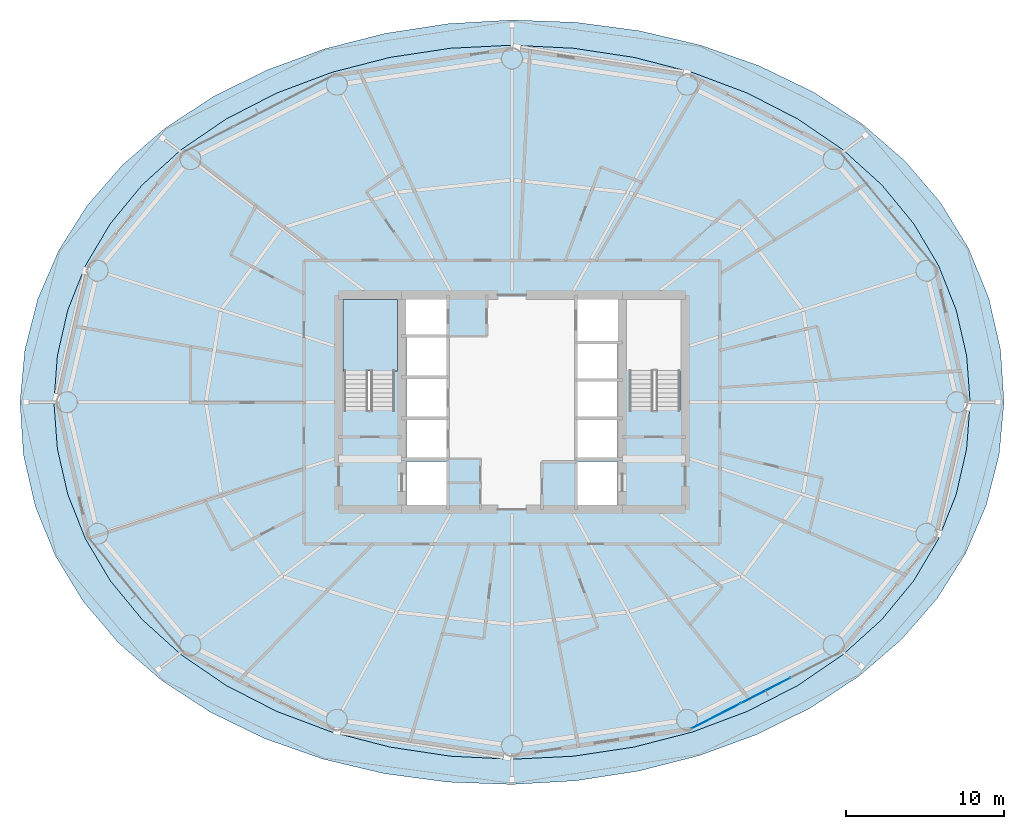
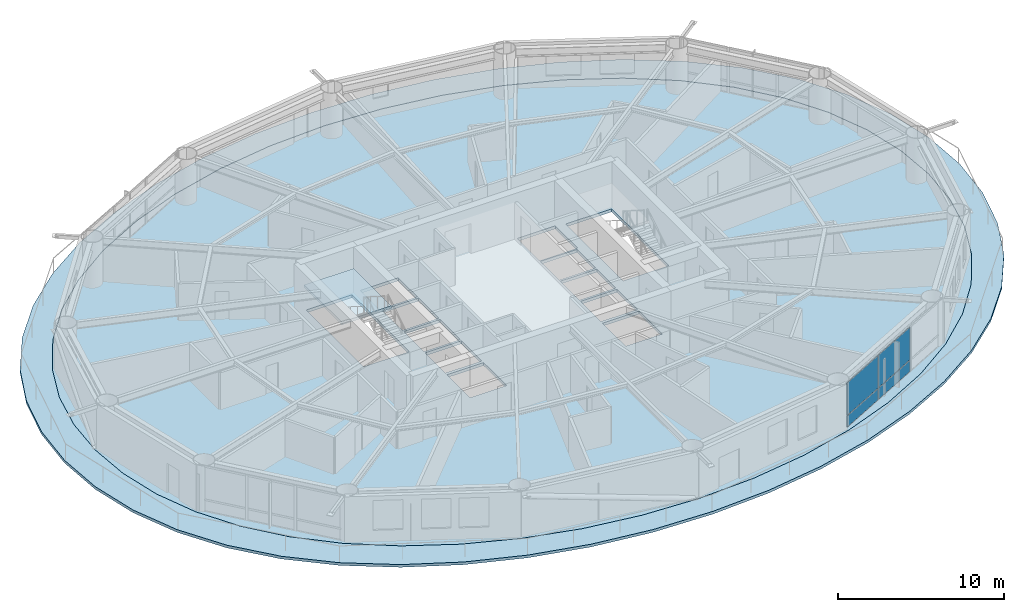
# One storey, part 15 of 24: 4 plates, 3 slabs, 2 elements without a shape of their own.
"""IFC4 building model written with IfcOpenShell, lengths in metres."""

from ifc_helpers import new_model, si_unit, direction, frame, origin, origin_2d, place, context, subcontext, project, spatial, polyline, rectangle, outline, extrude, material, layer, layer_set, type_object, element, aggregate, save


model = new_model("IFC4")

# Units and contexts
model_context = context("Model", 3, precision=1e-05, world=origin(), true_north=direction((0.0, 1.0)))
body_context = subcontext(model_context, "Body", "Model", "MODEL_VIEW")
ifc_project = project(units=[si_unit("LENGTHUNIT", "METRE"), si_unit("AREAUNIT", "SQUARE_METRE"), si_unit("VOLUMEUNIT", "CUBIC_METRE"), si_unit("PLANEANGLEUNIT", "RADIAN"), si_unit("MASSUNIT", "GRAM", prefix="KILO")], contexts=[model_context])

# Site, building, storey
site_placement = place(None, origin())
site = spatial("IfcSite", under=ifc_project, at=site_placement, CompositionType="ELEMENT")
building_placement = place(site_placement, origin())
building = spatial("IfcBuilding", under=site, at=building_placement, Name="Sarneth Arch Tower", CompositionType="ELEMENT")
storey_placement = place(building_placement, frame((0.0, 0.0, 87.60009765625)))
storey = spatial("IfcBuildingStorey", under=building, at=storey_placement, Name="L21", CompositionType="ELEMENT", Elevation=87.60009765625)

# Curtain wall, plates
ifc_material_1 = material(Name="Anodised aluminium Type AA25 and solar-control low-e laminated IGU", Category="aluminium")
ifc_layer_1 = layer(ifc_material_1, 0.159912109375)
ifc_layer_set_1 = layer_set([ifc_layer_1], Name="Anodised aluminium Type AA25 and solar-control low-e laminated IGU")
curtain_wall_type = type_object("IfcCurtainWallType", Name="CW-HOTEL-MID", PredefinedType="NOTDEFINED", material=ifc_layer_set_1)
curtain_wall_placement = place(storey_placement, origin())
curtain_wall = element("IfcCurtainWall", 1, at=curtain_wall_placement, inside=storey, type_object=curtain_wall_type, Name="L21 Unitised curtain wall facet 14", PredefinedType="NOTDEFINED")
ifc_material_2 = material(Name="Solar-control low-e laminated IGU", Category="glass")
ifc_layer_2 = layer(ifc_material_2, 0.028076171875)
ifc_layer_set_2 = layer_set([ifc_layer_2], Name="Solar-control low-e laminated IGU")
plate_type = type_object("IfcPlateType", Name="CW-PANEL", PredefinedType="CURTAIN_PANEL", material=ifc_layer_set_2)
plate_1_placement = place(storey_placement, frame((60.946044921875, 22.094482421875, 0.059814453125), z_axis=(0.0, 0.0, 1.0), x_axis=(0.889963703649, 0.456031365356, 0.0)))
plate_1 = element("IfcPlate", 2, at=plate_1_placement, type_object=plate_type, Name="Curtain wall glazed vision pane CW-L21-F14/P00-00", PredefinedType="CURTAIN_PANEL", context=body_context, shape_type="SweptSolid", body=[
    extrude(rectangle(XDim=3.464111328125, YDim=0.028076171875, at=origin_2d()), origin(), (0.0, 0.0, 1.0), 0.81005859375),
])
plate_2_placement = place(storey_placement, frame((60.946044921875, 22.094482421875, 0.93017578125), z_axis=(0.0, 0.0, 1.0), x_axis=(0.889963703649, 0.456031365356, 0.0)))
plate_2 = element("IfcPlate", 3, at=plate_2_placement, type_object=plate_type, Name="Curtain wall glazed vision pane CW-L21-F14/P00-01", PredefinedType="CURTAIN_PANEL", context=body_context, shape_type="SweptSolid", body=[
    extrude(rectangle(XDim=3.464111328125, YDim=0.028076171875, at=origin_2d()), origin(), (0.0, 0.0, 1.0), 2.389892578125),
])
plate_3_placement = place(storey_placement, frame((64.095703125, 23.70849609375, 0.059814453125), z_axis=(0.0, 0.0, 1.0), x_axis=(0.889963703649, 0.456031365356, 0.0)))
plate_3 = element("IfcPlate", 4, at=plate_3_placement, type_object=plate_type, Name="Curtain wall glazed vision pane CW-L21-F14/P01-00", PredefinedType="CURTAIN_PANEL", context=body_context, shape_type="SweptSolid", body=[
    extrude(rectangle(XDim=3.493896484375, YDim=0.028076171875, at=origin_2d()), origin(), (0.0, 0.0, 1.0), 0.81005859375),
])
plate_4_placement = place(storey_placement, frame((64.095703125, 23.70849609375, 0.93017578125), z_axis=(0.0, 0.0, 1.0), x_axis=(0.889963703649, 0.456031365356, 0.0)))
plate_4 = element("IfcPlate", 5, at=plate_4_placement, type_object=plate_type, Name="Curtain wall glazed vision pane CW-L21-F14/P01-01", PredefinedType="CURTAIN_PANEL", context=body_context, shape_type="SweptSolid", body=[
    extrude(rectangle(XDim=3.493896484375, YDim=0.028076171875, at=origin_2d()), origin(), (0.0, 0.0, 1.0), 2.389892578125),
])
aggregate(curtain_wall, [plate_1, plate_2, plate_3, plate_4])

# Slab
ifc_material_3 = material(Name="Concrete C50/60", Category="concrete")
ifc_layer_3 = layer(ifc_material_3, 0.199951171875)
ifc_layer_set_3 = layer_set([ifc_layer_3], Name="Concrete C50/60")
slab_type_1 = type_object("IfcSlabType", Name="SLAB-BALC-200", PredefinedType="FLOOR", material=ifc_layer_set_3)
slab_1_placement = place(storey_placement, frame((0.0, 0.0, -0.2001953125)))
element("IfcSlab", 6, at=slab_1_placement, inside=storey, type_object=slab_type_1, Name="L21 Helical balcony band slab", PredefinedType="FLOOR", context=body_context, shape_type="SweptSolid", body=[
    extrude(outline(polyline([(79.21337890625, 42.0), (78.993896484375, 45.3408203125), (78.245361328125, 48.612060546875), (76.97412109375, 51.736083984375), (75.19580078125, 54.648681640625), (72.93408203125, 57.300048828125), (70.22509765625, 59.652099609375), (67.119140625, 61.67431640625), (63.6787109375, 63.34423828125), (59.974609375, 64.645263671875), (56.080322265625, 65.566162109375), (52.066650390625, 66.101318359375), (48.0, 66.249267578125), (43.942138671875, 66.0126953125), (39.953857421875, 65.3974609375), (36.098388671875, 64.412841796875), (32.440673828125, 63.07080078125), (29.047607421875, 61.386474609375), (25.98193359375, 59.376708984375), (23.29833984375, 57.06201171875), (21.0400390625, 54.466064453125), (19.238525390625, 51.6171875), (17.91650390625, 48.55322265625), (17.09375, 45.3251953125), (16.78662109375, 42.0), (17.006103515625, 38.6591796875), (17.754638671875, 35.387939453125), (19.02587890625, 32.263916015625), (20.80419921875, 29.351318359375), (23.06591796875, 26.699951171875), (25.77490234375, 24.347900390625), (28.880859375, 22.32568359375), (32.3212890625, 20.65576171875), (36.025390625, 19.354736328125), (39.919677734375, 18.433837890625), (43.933349609375, 17.898681640625), (48.0, 17.750732421875), (52.057861328125, 17.9873046875), (56.046142578125, 18.6025390625), (59.901611328125, 19.587158203125), (63.559326171875, 20.92919921875), (66.952392578125, 22.613525390625), (70.01806640625, 24.623291015625), (72.70166015625, 26.93798828125), (74.9599609375, 29.533935546875), (76.761474609375, 32.3828125), (78.08349609375, 35.44677734375), (78.90625, 38.6748046875), (79.21337890625, 42.0)]), holes=[polyline([(77.062744140625, 42.0), (76.84228515625, 44.956298828125), (76.17724609375, 47.8623046875), (75.060546875, 50.667724609375), (73.486328125, 53.324951171875), (71.458251953125, 55.788330078125), (68.994384765625, 58.015869140625), (66.132080078125, 59.969482421875), (62.923828125, 61.615478515625), (59.435302734375, 62.92578125), (55.73779296875, 63.878173828125), (51.902587890625, 64.456298828125), (48.0, 64.64990234375), (44.097412109375, 64.456298828125), (40.26220703125, 63.878173828125), (36.564697265625, 62.92578125), (33.076171875, 61.615478515625), (29.867919921875, 59.969482421875), (27.005615234375, 58.015869140625), (24.541748046875, 55.788330078125), (22.513671875, 53.324951171875), (20.939453125, 50.667724609375), (19.82275390625, 47.8623046875), (19.15771484375, 44.956298828125), (18.937255859375, 42.0), (19.15771484375, 39.043701171875), (19.82275390625, 36.1376953125), (20.939453125, 33.332275390625), (22.513671875, 30.675048828125), (24.541748046875, 28.211669921875), (27.005615234375, 25.984130859375), (29.867919921875, 24.030517578125), (33.076171875, 22.384521484375), (36.564697265625, 21.07421875), (40.26220703125, 20.121826171875), (44.097412109375, 19.543701171875), (48.0, 19.35009765625), (51.902587890625, 19.543701171875), (55.73779296875, 20.121826171875), (59.435302734375, 21.07421875), (62.923828125, 22.384521484375), (66.132080078125, 24.030517578125), (68.994384765625, 25.984130859375), (71.458251953125, 28.211669921875), (73.486328125, 30.675048828125), (75.060546875, 33.332275390625), (76.17724609375, 36.1376953125), (76.84228515625, 39.043701171875), (77.062744140625, 42.0)])]), origin(), (0.0, 0.0, 1.0), 0.2001953125),
])

# Stair, slab
ifc_material_4 = material(Name="Concrete C50/60", Category="concrete")
stair_type = type_object("IfcStairType", Name="STAIR-CORE-RC", PredefinedType="HALF_TURN_STAIR", material=ifc_material_4)
stair_placement = place(storey_placement, origin())
stair = element("IfcStair", 7, at=stair_placement, inside=storey, type_object=stair_type, Name="L21 Core Exit Stair 1", PredefinedType="HALF_TURN_STAIR")
ifc_material_5 = material(Name="Concrete C50/60", Category="concrete")
ifc_layer_4 = layer(ifc_material_5, 0.199951171875)
ifc_layer_set_4 = layer_set([ifc_layer_4], Name="Concrete C50/60")
slab_type_2 = type_object("IfcSlabType", Name="SLAB-LANDING-200", PredefinedType="LANDING", material=ifc_layer_set_4)
slab_2_placement = place(storey_placement, frame((0.0, 0.0, 1.599853515625)))
slab_2 = element("IfcSlab", 8, at=slab_2_placement, type_object=slab_type_2, Name="ST-1 landing 1", PredefinedType="LANDING", context=body_context, shape_type="SweptSolid", body=[
    extrude(outline(polyline([(37.27490234375, 43.985107421875), (40.72509765625, 43.985107421875), (40.72509765625, 48.52490234375), (37.27490234375, 48.52490234375), (37.27490234375, 43.985107421875)])), origin(), (0.0, 0.0, 1.0), 0.199951171875),
])
aggregate(stair, [slab_2])

# Slab
ifc_material_6 = material(Name="Concrete C50/60", Category="concrete")
ifc_layer_5 = layer(ifc_material_6, 0.219970703125)
ifc_layer_set_5 = layer_set([ifc_layer_5], Name="Concrete C50/60")
slab_type_3 = type_object("IfcSlabType", Name="SLAB-TOWER-220", PredefinedType="FLOOR", material=ifc_layer_set_5)
slab_3_placement = place(storey_placement, frame((0.0, 0.0, -0.22021484375)))
element("IfcSlab", 9, at=slab_3_placement, inside=storey, type_object=slab_type_3, Name="L21 Elliptical floor slab", PredefinedType="FLOOR", context=body_context, shape_type="SweptSolid", body=[
    extrude(outline(polyline([(77.062744140625, 42.0), (76.84228515625, 44.956298828125), (76.17724609375, 47.8623046875), (75.060546875, 50.667724609375), (73.486328125, 53.324951171875), (71.458251953125, 55.788330078125), (68.994384765625, 58.015869140625), (66.132080078125, 59.969482421875), (62.923828125, 61.615478515625), (59.435302734375, 62.92578125), (55.73779296875, 63.878173828125), (51.902587890625, 64.456298828125), (48.0, 64.64990234375), (44.097412109375, 64.456298828125), (40.26220703125, 63.878173828125), (36.564697265625, 62.92578125), (33.076171875, 61.615478515625), (29.867919921875, 59.969482421875), (27.005615234375, 58.015869140625), (24.541748046875, 55.788330078125), (22.513671875, 53.324951171875), (20.939453125, 50.667724609375), (19.82275390625, 47.8623046875), (19.15771484375, 44.956298828125), (18.937255859375, 42.0), (19.15771484375, 39.043701171875), (19.82275390625, 36.1376953125), (20.939453125, 33.332275390625), (22.513671875, 30.675048828125), (24.541748046875, 28.211669921875), (27.005615234375, 25.984130859375), (29.867919921875, 24.030517578125), (33.076171875, 22.384521484375), (36.564697265625, 21.07421875), (40.26220703125, 20.121826171875), (44.097412109375, 19.543701171875), (48.0, 19.35009765625), (51.902587890625, 19.543701171875), (55.73779296875, 20.121826171875), (59.435302734375, 21.07421875), (62.923828125, 22.384521484375), (66.132080078125, 24.030517578125), (68.994384765625, 25.984130859375), (71.458251953125, 28.211669921875), (73.486328125, 30.675048828125), (75.060546875, 33.332275390625), (76.17724609375, 36.1376953125), (76.84228515625, 39.043701171875), (77.062744140625, 42.0)]), holes=[polyline([(37.35009765625, 41.489990234375), (40.550048828125, 41.489990234375), (40.550048828125, 48.39990234375), (37.35009765625, 48.39990234375), (37.35009765625, 41.489990234375)]), polyline([(55.449951171875, 41.489990234375), (58.64990234375, 41.489990234375), (58.64990234375, 48.39990234375), (55.449951171875, 48.39990234375), (55.449951171875, 41.489990234375)]), polyline([(41.199951171875, 46.25), (43.85009765625, 46.25), (43.85009765625, 48.550048828125), (41.199951171875, 48.550048828125), (41.199951171875, 46.25)]), polyline([(41.300048828125, 35.449951171875), (43.85009765625, 35.449951171875), (43.85009765625, 38.25), (41.300048828125, 38.25), (41.300048828125, 35.449951171875)]), polyline([(52.14990234375, 35.449951171875), (54.699951171875, 35.449951171875), (54.699951171875, 38.25), (52.14990234375, 38.25), (52.14990234375, 35.449951171875)]), polyline([(52.14990234375, 45.85009765625), (54.800048828125, 45.85009765625), (54.800048828125, 48.550048828125), (52.14990234375, 48.550048828125), (52.14990234375, 45.85009765625)]), polyline([(41.300048828125, 38.449951171875), (43.85009765625, 38.449951171875), (43.85009765625, 40.89990234375), (41.300048828125, 40.89990234375), (41.300048828125, 38.449951171875)]), polyline([(41.300048828125, 41.050048828125), (43.85009765625, 41.050048828125), (43.85009765625, 43.5), (41.300048828125, 43.5), (41.300048828125, 41.050048828125)]), polyline([(41.300048828125, 43.64990234375), (43.85009765625, 43.64990234375), (43.85009765625, 46.10009765625), (41.300048828125, 46.10009765625), (41.300048828125, 43.64990234375)]), polyline([(52.14990234375, 38.449951171875), (54.699951171875, 38.449951171875), (54.699951171875, 40.89990234375), (52.14990234375, 40.89990234375), (52.14990234375, 38.449951171875)]), polyline([(52.14990234375, 41.050048828125), (54.699951171875, 41.050048828125), (54.699951171875, 43.35009765625), (52.14990234375, 43.35009765625), (52.14990234375, 41.050048828125)]), polyline([(52.14990234375, 43.5), (54.699951171875, 43.5), (54.699951171875, 45.75), (52.14990234375, 45.75), (52.14990234375, 43.5)])]), origin(), (0.0, 0.0, 1.0), 0.22021484375),
])

save(model, "model.ifc")
